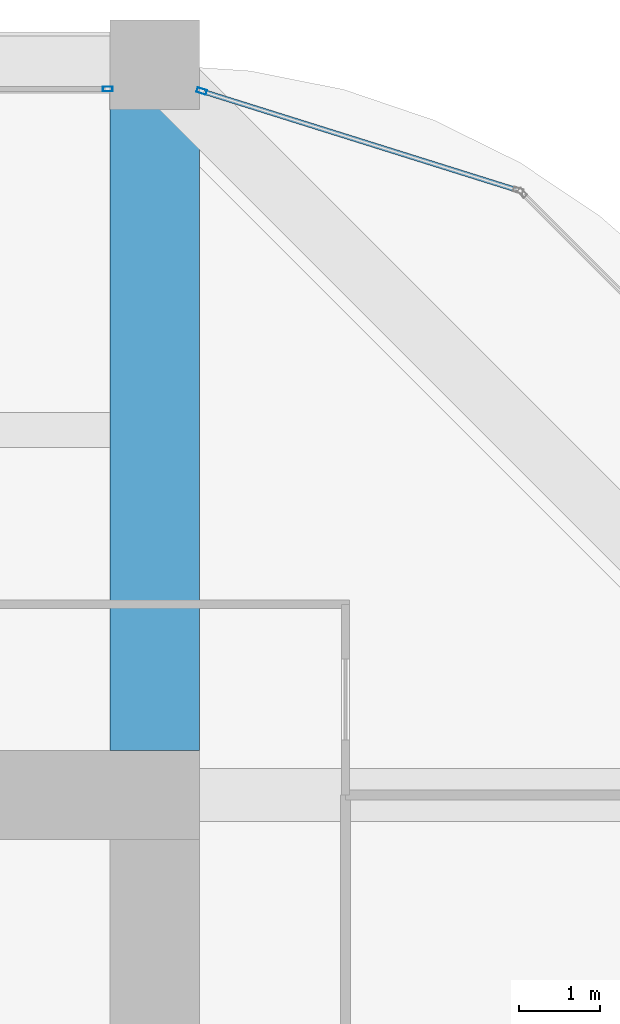
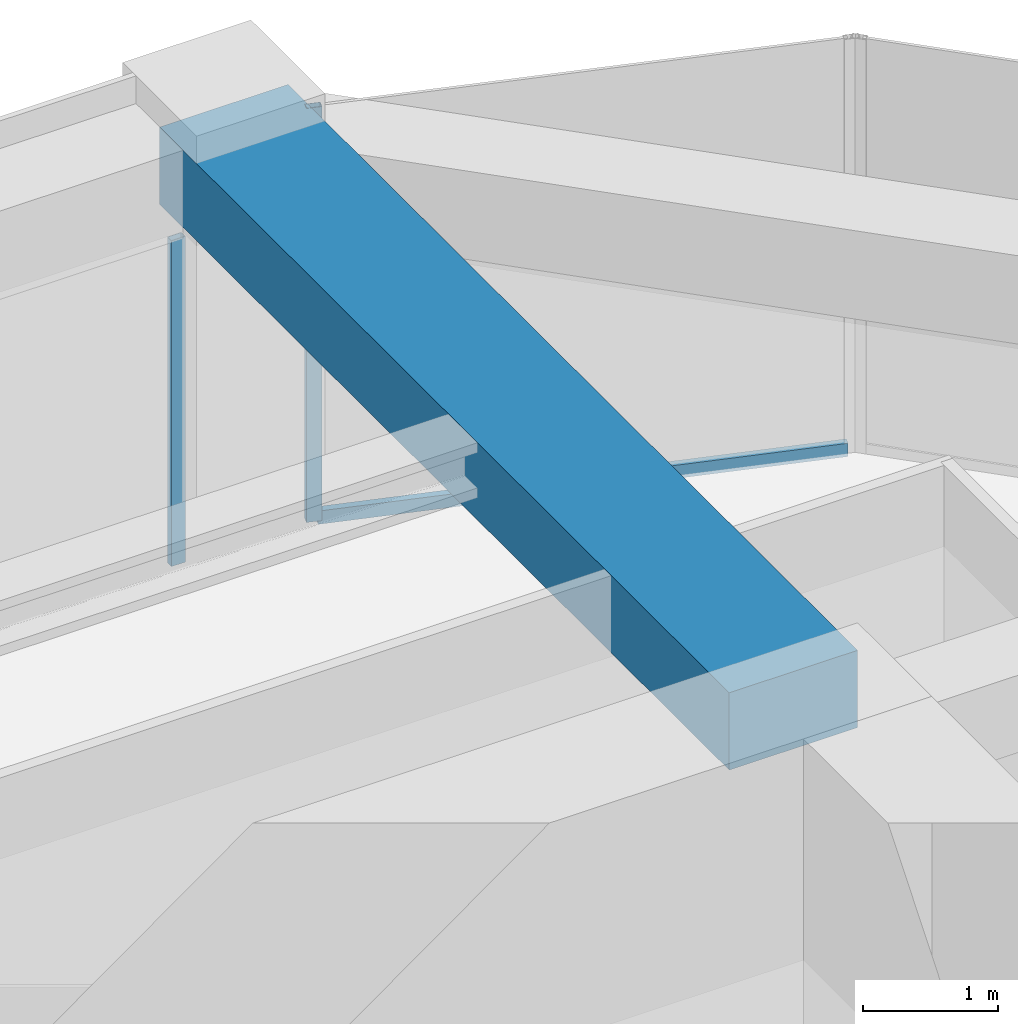
# One storey, part 37 of 44: 3 members, 1 beam, 2 elements without a shape of their own.
"""IFC4 building model written with IfcOpenShell, lengths in metres."""

from ifc_helpers import new_model, si_unit, direction, frame, origin, origin_2d, place, context, subcontext, project, spatial, rectangle, hollow_rectangle, extrude, material, material_profile, profile_set, type_object, element, aggregate, save


model = new_model("IFC4")

# Units and contexts
model_context = context("Model", 3, precision=1e-05, world=origin(), true_north=direction((0.0, 1.0)))
body_context = subcontext(model_context, "Body", "Model", "MODEL_VIEW")
ifc_project = project(units=[si_unit("LENGTHUNIT", "METRE"), si_unit("AREAUNIT", "SQUARE_METRE"), si_unit("VOLUMEUNIT", "CUBIC_METRE"), si_unit("PLANEANGLEUNIT", "RADIAN"), si_unit("MASSUNIT", "GRAM", prefix="KILO")], contexts=[model_context])

# Site, building, storey
site_placement = place(None, origin())
site = spatial("IfcSite", under=ifc_project, at=site_placement, CompositionType="ELEMENT")
building_placement = place(site_placement, origin())
building = spatial("IfcBuilding", under=site, at=building_placement, Name="Zorevar Civic Tower", CompositionType="ELEMENT")
storey_placement = place(building_placement, frame((0.0, 0.0, 275.39990234375)))
storey = spatial("IfcBuildingStorey", under=building, at=storey_placement, Name="L67", CompositionType="ELEMENT", Elevation=275.39990234375)

# Beam
ifc_material_1 = material(Name="Concrete C50/60", Category="concrete")
ifc_material_profile_1 = material_profile(ifc_material_1, rectangle(XDim=1.10009765625, YDim=0.699951171875, at=origin_2d()), Name="RC 1100x700")
ifc_profile_set_1 = profile_set([ifc_material_profile_1], Name="Concrete C50/60")
beam_type = type_object("IfcBeamType", Name="Beam RC 1100x700", PredefinedType="BEAM", material=ifc_profile_set_1)
beam_placement = place(storey_placement, frame((45.0, 36.550048828125, 3.400146484375), z_axis=(0.0, 1.0, 0.0), x_axis=(-1.0, 0.0, 0.0)))
element("IfcBeam", 1, at=beam_placement, inside=storey, type_object=beam_type, Name="Girder L68", PredefinedType="BEAM", context=body_context, shape_type="SweptSolid", body=[
    extrude(rectangle(XDim=1.10009765625, YDim=0.699951171875, at=origin_2d()), origin(), (0.0, 0.0, 1.0), 8.449951171875),
])

# Curtain wall, member
ifc_material_2 = material(Name="Dark grey solar-control glass in black aluminium frame", Category="aluminium")
curtain_wall_type = type_object("IfcCurtainWallType", Name="Curtain wall CW5 top zone", PredefinedType="NOTDEFINED", material=ifc_material_2)
curtain_wall_1_placement = place(storey_placement, origin())
curtain_wall_1 = element("IfcCurtainWall", 2, at=curtain_wall_1_placement, inside=storey, type_object=curtain_wall_type, Name="CW5 L67", PredefinedType="NOTDEFINED")
ifc_material_3 = material(Name="Aluminium, black anodised", Category="aluminium")
ifc_material_profile_2 = material_profile(ifc_material_3, hollow_rectangle(XDim=0.06005859375, YDim=0.1201171875, WallThickness=0.0029296875, at=origin_2d()), Name="AL 120x60x3")
ifc_profile_set_2 = profile_set([ifc_material_profile_2], Name="Aluminium, black anodised")
member_type_1 = type_object("IfcMemberType", Name="CW5 mullion AL 120x60x3", PredefinedType="MULLION", material=ifc_profile_set_2)
member_1_placement = place(storey_placement, frame((44.419921875, 44.699951171875, 0.0), z_axis=(0.0, 0.0, 1.0), x_axis=(0.0, 1.0, 0.0)))
member_1 = element("IfcMember", 3, at=member_1_placement, type_object=member_type_1, Name="CW5 mullion 3", PredefinedType="MULLION", context=body_context, shape_type="SweptSolid", body=[
    extrude(hollow_rectangle(XDim=0.06005859375, YDim=0.1201171875, WallThickness=0.0029296875, at=origin_2d()), origin(), (0.0, 0.0, 1.0), 2.9501953125),
])
aggregate(curtain_wall_1, [member_1])

# Curtain wall, members
curtain_wall_2_placement = place(storey_placement, origin())
curtain_wall_2 = element("IfcCurtainWall", 4, at=curtain_wall_2_placement, inside=storey, type_object=curtain_wall_type, Name="CW5 L67", PredefinedType="NOTDEFINED")
member_2_placement = place(storey_placement, frame((45.57861328125, 44.673583984375, 0.0), z_axis=(0.0, 0.0, 1.0), x_axis=(-0.299317920238, -0.954153437674, 0.0)))
member_2 = element("IfcMember", 5, at=member_2_placement, type_object=member_type_1, Name="CW5 mullion 2", PredefinedType="MULLION", context=body_context, shape_type="SweptSolid", body=[
    extrude(hollow_rectangle(XDim=0.06005859375, YDim=0.1201171875, WallThickness=0.0029296875, at=origin_2d()), origin(), (0.0, 0.0, 1.0), 3.75),
])
ifc_material_4 = material(Name="Aluminium, black anodised", Category="aluminium")
ifc_material_profile_3 = material_profile(ifc_material_4, hollow_rectangle(XDim=0.06005859375, YDim=0.1201171875, WallThickness=0.0029296875, at=origin_2d()), Name="AL 120x60x3")
ifc_profile_set_3 = profile_set([ifc_material_profile_3], Name="Aluminium, black anodised")
member_type_2 = type_object("IfcMemberType", Name="CW5 transom AL 120x60x3", PredefinedType="USERDEFINED", material=ifc_profile_set_3)
member_3_placement = place(storey_placement, frame((49.45068359375, 43.458984375, 0.030029296875), z_axis=(-0.954163457351, 0.299285978047, 0.0), x_axis=(-0.299285978047, -0.954163457351, 0.0)))
member_3 = element("IfcMember", 6, at=member_3_placement, type_object=member_type_2, Name="CW5 sill transom", ObjectType="TRANSOM", PredefinedType="USERDEFINED", context=body_context, shape_type="SweptSolid", body=[
    extrude(hollow_rectangle(XDim=0.06005859375, YDim=0.1201171875, WallThickness=0.0029296875, at=origin_2d()), origin(), (0.0, 0.0, 1.0), 4.028076171875),
])
aggregate(curtain_wall_2, [member_2, member_3])

save(model, "model.ifc")
